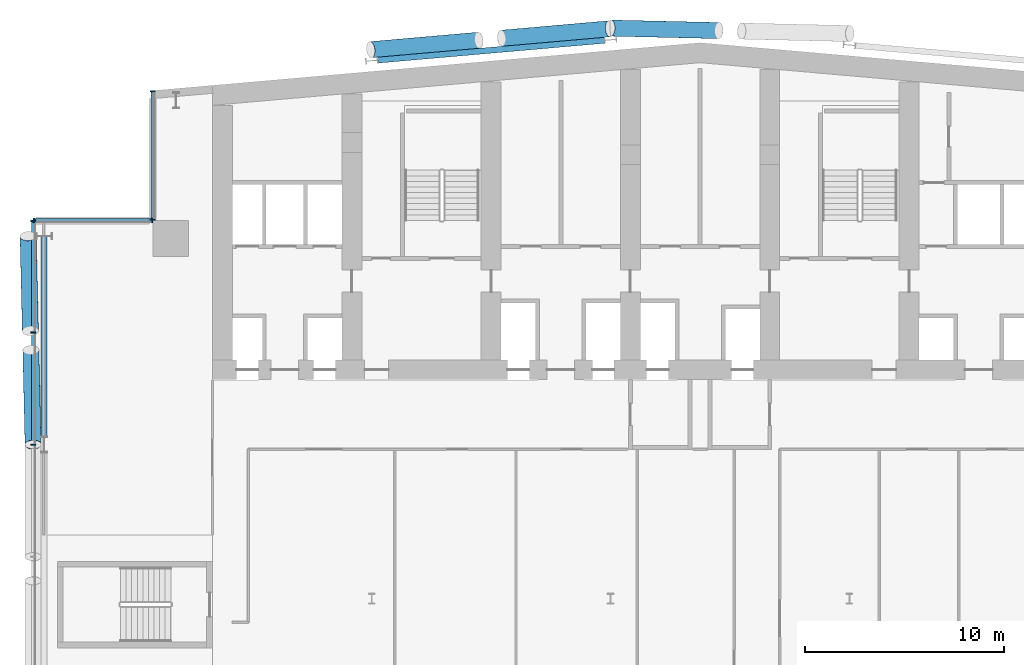
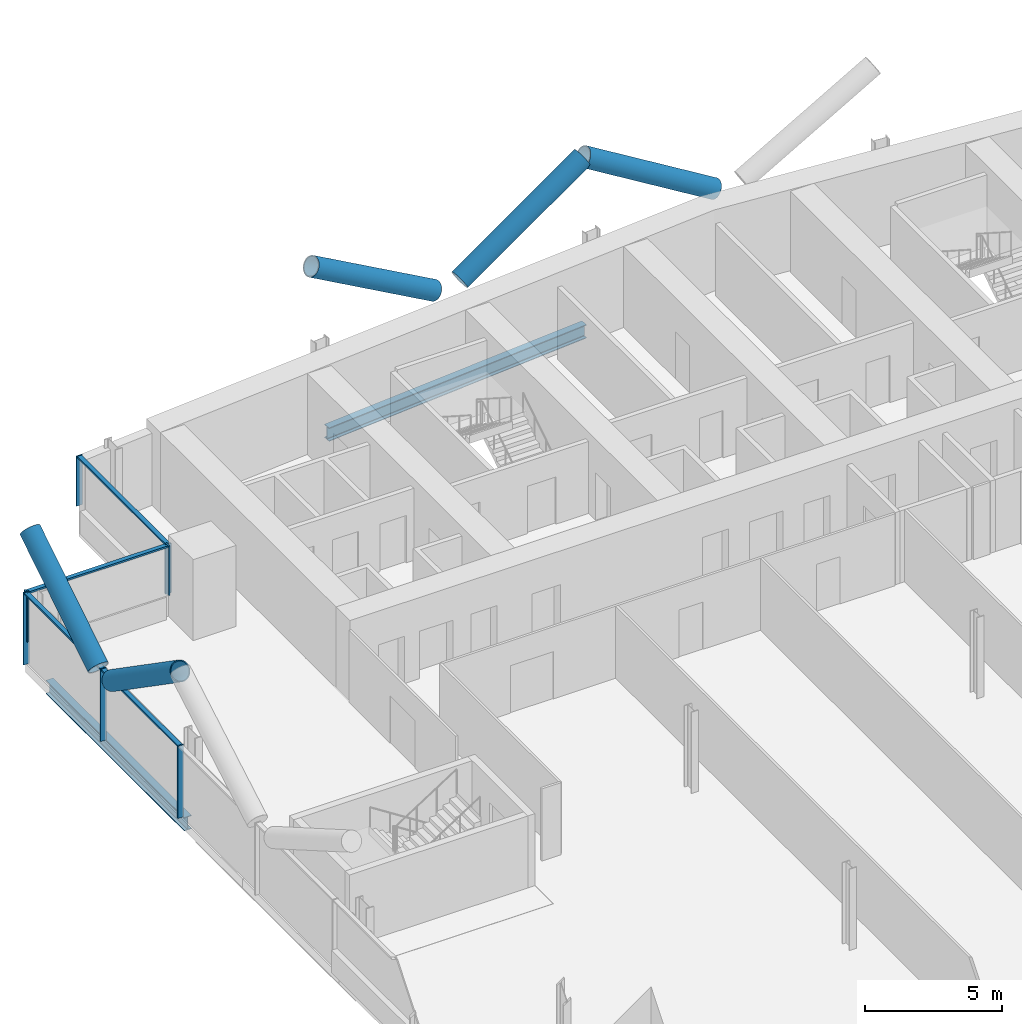
# One storey, part 8 of 26: 16 members, 2 beams, 3 elements without a shape of their own.
"""IFC4 building model written with IfcOpenShell, lengths in metres."""

from ifc_helpers import new_model, si_unit, direction, frame, origin, origin_2d, place, context, subcontext, project, spatial, rectangle, hollow_circle, i_section, extrude, material, material_profile, profile_set, type_object, element, aggregate, save


model = new_model("IFC4")

# Units and contexts
model_context = context("Model", 3, precision=1e-05, world=origin(), true_north=direction((0.0, 1.0)))
body_context = subcontext(model_context, "Body", "Model", "MODEL_VIEW")
ifc_project = project(units=[si_unit("LENGTHUNIT", "METRE"), si_unit("AREAUNIT", "SQUARE_METRE"), si_unit("VOLUMEUNIT", "CUBIC_METRE"), si_unit("PLANEANGLEUNIT", "RADIAN"), si_unit("MASSUNIT", "GRAM", prefix="KILO")], contexts=[model_context])

# Site, building, storey
site_placement = place(None, origin())
site = spatial("IfcSite", under=ifc_project, at=site_placement, CompositionType="ELEMENT")
building_placement = place(site_placement, origin())
building = spatial("IfcBuilding", under=site, at=building_placement, Name="Wharfspan Tower", CompositionType="ELEMENT")
storey_placement = place(building_placement, frame((0.0, 0.0, 125.5)))
storey = spatial("IfcBuildingStorey", under=building, at=storey_placement, Name="L29", CompositionType="ELEMENT", Elevation=125.5)

# Beams
ifc_material_1 = material(Name="Steel S355J2", Category="steel")
ifc_material_profile_1 = material_profile(ifc_material_1, i_section(OverallWidth=0.300049, OverallDepth=0.600098, WebThickness=0.015381, FlangeThickness=0.030029, FilletRadius=0.0271, at=origin_2d()))
ifc_profile_set_1 = profile_set([ifc_material_profile_1], Name="Steel S355J2")
beam_type = type_object("IfcBeamType", Name="Edge beam HEB 600", PredefinedType="SPANDREL", material=ifc_profile_set_1)
beam_1_placement = place(storey_placement, frame((35.695068, 51.050537, -0.699951), z_axis=(-0.996194, -0.087162, 0.0), x_axis=(0.087162, -0.996194, 0.0)))
element("IfcBeam", 1, at=beam_1_placement, inside=storey, type_object=beam_type, Name="Edge beam N1 L29 R.2 to R.1", PredefinedType="SPANDREL", context=body_context, shape_type="SweptSolid", body=[
    extrude(i_section(OverallWidth=0.300049, OverallDepth=0.600098, WebThickness=0.015381, FlangeThickness=0.030029, FilletRadius=0.0271, at=origin_2d()), origin(), (0.0, 0.0, 1.0), 11.433594),
])
beam_2_placement = place(storey_placement, frame((7.544434, 41.201416, -0.699951), z_axis=(-0.000412, -1.0, 0.0), x_axis=(1.0, -0.000412, 0.0)))
element("IfcBeam", 2, at=beam_2_placement, inside=storey, type_object=beam_type, Name="Edge beam W L29 PNRW-H.1 to PW.1", PredefinedType="SPANDREL", context=body_context, shape_type="SweptSolid", body=[
    extrude(i_section(OverallWidth=0.300049, OverallDepth=0.600098, WebThickness=0.015381, FlangeThickness=0.030029, FilletRadius=0.0271, at=origin_2d()), origin(), (0.0, 0.0, 1.0), 10.065186),
])

# Curtain wall, members
ifc_material_2 = material(Name="Aluminium 6063-T6", Category="aluminium")
curtain_wall_type = type_object("IfcCurtainWallType", Name="CURTAIN WALL PROW AND END", PredefinedType="NOTDEFINED", material=ifc_material_2)
curtain_wall_1_placement = place(storey_placement, origin())
curtain_wall_1 = element("IfcCurtainWall", 3, at=curtain_wall_1_placement, inside=storey, type_object=curtain_wall_type, Name="Curtain wall NRW-V", PredefinedType="NOTDEFINED")
ifc_material_profile_2 = material_profile(ifc_material_2, rectangle(XDim=0.23999, YDim=0.060059, at=origin_2d()))
ifc_profile_set_2 = profile_set([ifc_material_profile_2], Name="Aluminium 6063-T6")
member_type_1 = type_object("IfcMemberType", Name="MULLION PROW AND END 60x240", PredefinedType="MULLION", material=ifc_profile_set_2)
member_1_placement = place(storey_placement, frame((13.0, 48.494873, 1.0), z_axis=(0.0, 0.0, 1.0), x_axis=(1.0, 0.0, 0.0)))
member_1 = element("IfcMember", 4, at=member_1_placement, type_object=member_type_1, Name="Curtain wall NRW-V mullion 1", PredefinedType="MULLION", context=body_context, shape_type="SweptSolid", body=[
    extrude(rectangle(XDim=0.23999, YDim=0.060059, at=origin_2d()), origin(), (0.0, 0.0, 1.0), 2.199951),
])
member_2_placement = place(storey_placement, frame((13.0, 42.030029, 1.0), z_axis=(0.0, 0.0, 1.0), x_axis=(1.0, 0.0, 0.0)))
member_2 = element("IfcMember", 5, at=member_2_placement, type_object=member_type_1, Name="Curtain wall NRW-V mullion 2", PredefinedType="MULLION", context=body_context, shape_type="SweptSolid", body=[
    extrude(rectangle(XDim=0.23999, YDim=0.060059, at=origin_2d()), origin(), (0.0, 0.0, 1.0), 2.199951),
])

curtain_wall_2_placement = place(storey_placement, origin())
curtain_wall_2 = element("IfcCurtainWall", 6, at=curtain_wall_2_placement, inside=storey, type_object=curtain_wall_type, Name="Curtain wall NRW-H", PredefinedType="NOTDEFINED")
member_3_placement = place(storey_placement, frame((12.969971, 42.0, 1.0), z_axis=(0.0, 0.0, 1.0), x_axis=(0.0, -1.0, 0.0)))
member_3 = element("IfcMember", 7, at=member_3_placement, type_object=member_type_1, Name="Curtain wall NRW-H mullion 1", PredefinedType="MULLION", context=body_context, shape_type="SweptSolid", body=[
    extrude(rectangle(XDim=0.23999, YDim=0.060059, at=origin_2d()), origin(), (0.0, 0.0, 1.0), 2.199951),
])
member_4_placement = place(storey_placement, frame((7.030029, 42.0, 1.0), z_axis=(0.0, 0.0, 1.0), x_axis=(0.0, -1.0, 0.0)))
member_4 = element("IfcMember", 8, at=member_4_placement, type_object=member_type_1, Name="Curtain wall NRW-H mullion 2", PredefinedType="MULLION", context=body_context, shape_type="SweptSolid", body=[
    extrude(rectangle(XDim=0.23999, YDim=0.060059, at=origin_2d()), origin(), (0.0, 0.0, 1.0), 2.199951),
])

curtain_wall_3_placement = place(storey_placement, origin())
curtain_wall_3 = element("IfcCurtainWall", 9, at=curtain_wall_3_placement, inside=storey, type_object=curtain_wall_type, Name="Curtain wall W", PredefinedType="NOTDEFINED")
member_5_placement = place(storey_placement, frame((7.0, 41.969971, 0.0), z_axis=(0.0, 0.0, 1.0), x_axis=(1.0, 0.0, 0.0)))
member_5 = element("IfcMember", 10, at=member_5_placement, type_object=member_type_1, Name="Curtain wall W mullion 1", PredefinedType="MULLION", context=body_context, shape_type="SweptSolid", body=[
    extrude(rectangle(XDim=0.23999, YDim=0.060059, at=origin_2d()), origin(), (0.0, 0.0, 1.0), 3.199951),
])
member_6_placement = place(storey_placement, frame((7.0, 36.366699, 0.0), z_axis=(0.0, 0.0, 1.0), x_axis=(1.0, 0.0, 0.0)))
member_6 = element("IfcMember", 11, at=member_6_placement, type_object=member_type_1, Name="Curtain wall W mullion 2", PredefinedType="MULLION", context=body_context, shape_type="SweptSolid", body=[
    extrude(rectangle(XDim=0.23999, YDim=0.060059, at=origin_2d()), origin(), (0.0, 0.0, 1.0), 3.199951),
])
member_7_placement = place(storey_placement, frame((7.0, 30.733398, 0.0), z_axis=(0.0, 0.0, 1.0), x_axis=(1.0, 0.0, 0.0)))
member_7 = element("IfcMember", 12, at=member_7_placement, type_object=member_type_1, Name="Curtain wall W mullion 3", PredefinedType="MULLION", context=body_context, shape_type="SweptSolid", body=[
    extrude(rectangle(XDim=0.23999, YDim=0.060059, at=origin_2d()), origin(), (0.0, 0.0, 1.0), 3.199951),
])

# Members
ifc_material_3 = material(Name="Steel S460NH", Category="steel")
ifc_material_profile_3 = material_profile(ifc_material_3, hollow_circle(Radius=0.406494, WallThickness=0.040039, at=origin_2d()))
ifc_profile_set_3 = profile_set([ifc_material_profile_3], Name="Steel S460NH")
member_type_2 = type_object("IfcMemberType", Name="Mega brace CHS 813x40", PredefinedType="BRACE", material=ifc_profile_set_3)
for number, where, z_axis, x_axis, name in (
    (13, (6.871094, 35.486084, 3.23291), (0.019765, -0.823912, 0.566373), (0.999715, 0.023981, -2e-06), "Mega brace W4 L29 part 2"),
    (14, (6.8479, 36.455078, 3.23291), (-0.019722, 0.823926, 0.566354), (-0.999713, -0.023927, -4e-06), "Mega brace W4 L29 part 4"),
):
    element("IfcMember", number, at=place(storey_placement, frame(where, z_axis=z_axis, x_axis=x_axis)), inside=storey, type_object=member_type_2, Name=name, PredefinedType="BRACE", context=body_context, shape_type="SweptSolid", body=[
        extrude(hollow_circle(Radius=0.406494, WallThickness=0.040039, at=origin_2d()), origin(), (0.0, 0.0, 1.0), 5.768555),
    ])
member_8_placement = place(storey_placement, frame((41.435059, 51.541504, 3.246582), z_axis=(-0.857317, 0.019649, 0.514413), x_axis=(-0.022912, -0.999739, 2e-06)))
element("IfcMember", 15, at=member_8_placement, inside=storey, type_object=member_type_2, Name="Mega brace N7 L29 part 4", PredefinedType="BRACE", context=body_context, shape_type="SweptSolid", body=[
    extrude(hollow_circle(Radius=0.406494, WallThickness=0.040039, at=origin_2d()), origin(), (0.0, 0.0, 1.0), 6.324463),
])
member_9_placement = place(storey_placement, frame((30.529785, 51.156738, 3.246826), z_axis=(0.855087, 0.074812, 0.51306), x_axis=(-0.087157, 0.996195, -1e-06)))
element("IfcMember", 16, at=member_9_placement, inside=storey, type_object=member_type_2, Name="Mega brace N8 L29 part 2", PredefinedType="BRACE", context=body_context, shape_type="SweptSolid", body=[
    extrude(hollow_circle(Radius=0.406494, WallThickness=0.040039, at=origin_2d()), origin(), (0.0, 0.0, 1.0), 6.34082),
])
member_10_placement = place(storey_placement, frame((29.373291, 51.05542, 3.246826), z_axis=(-0.855079, -0.074777, 0.513078), x_axis=(0.087118, -0.996199, 0.0)))
element("IfcMember", 17, at=member_10_placement, inside=storey, type_object=member_type_2, Name="Mega brace N8 L29 part 4", PredefinedType="BRACE", context=body_context, shape_type="SweptSolid", body=[
    extrude(hollow_circle(Radius=0.406494, WallThickness=0.040039, at=origin_2d()), origin(), (0.0, 0.0, 1.0), 6.340576),
])

# Member
ifc_material_profile_4 = material_profile(ifc_material_2, rectangle(XDim=0.179932, YDim=0.080078, at=origin_2d()))
ifc_profile_set_4 = profile_set([ifc_material_profile_4], Name="Aluminium 6063-T6")
member_type_3 = type_object("IfcMemberType", Name="TRANSOM PROW AND END 80x180", PredefinedType="USERDEFINED", material=ifc_profile_set_4)
member_11_placement = place(storey_placement, frame((13.0, 48.464844, 3.159912), z_axis=(0.0, -1.0, 0.0), x_axis=(1.0, 0.0, 0.0)))
member_11 = element("IfcMember", 18, at=member_11_placement, type_object=member_type_3, Name="Curtain wall NRW-V transom 1", ObjectType="TRANSOM", PredefinedType="USERDEFINED", context=body_context, shape_type="SweptSolid", body=[
    extrude(rectangle(XDim=0.179932, YDim=0.080078, at=origin_2d()), origin(), (0.0, 0.0, 1.0), 6.404785),
])

aggregate(curtain_wall_1, [member_1, member_2, member_11])

member_12_placement = place(storey_placement, frame((12.939941, 42.0, 3.159912), z_axis=(-1.0, 0.0, 0.0), x_axis=(0.0, -1.0, 0.0)))
member_12 = element("IfcMember", 19, at=member_12_placement, type_object=member_type_3, Name="Curtain wall NRW-H transom 1", ObjectType="TRANSOM", PredefinedType="USERDEFINED", context=body_context, shape_type="SweptSolid", body=[
    extrude(rectangle(XDim=0.179932, YDim=0.080078, at=origin_2d()), origin(), (0.0, 0.0, 1.0), 5.879883),
])

aggregate(curtain_wall_2, [member_3, member_4, member_12])

member_13_placement = place(storey_placement, frame((7.0, 41.939941, 3.159912), z_axis=(0.0, -1.0, 0.0), x_axis=(1.0, 0.0, 0.0)))
member_13 = element("IfcMember", 20, at=member_13_placement, type_object=member_type_3, Name="Curtain wall W transom 1", ObjectType="TRANSOM", PredefinedType="USERDEFINED", context=body_context, shape_type="SweptSolid", body=[
    extrude(rectangle(XDim=0.179932, YDim=0.080078, at=origin_2d()), origin(), (0.0, 0.0, 1.0), 5.543213),
])

member_14_placement = place(storey_placement, frame((7.0, 36.33667, 3.159912), z_axis=(0.0, -1.0, 0.0), x_axis=(1.0, 0.0, 0.0)))
member_14 = element("IfcMember", 21, at=member_14_placement, type_object=member_type_3, Name="Curtain wall W transom 2", ObjectType="TRANSOM", PredefinedType="USERDEFINED", context=body_context, shape_type="SweptSolid", body=[
    extrude(rectangle(XDim=0.179932, YDim=0.080078, at=origin_2d()), origin(), (0.0, 0.0, 1.0), 5.573242),
])

aggregate(curtain_wall_3, [member_5, member_6, member_7, member_13, member_14])

save(model, "model.ifc")
